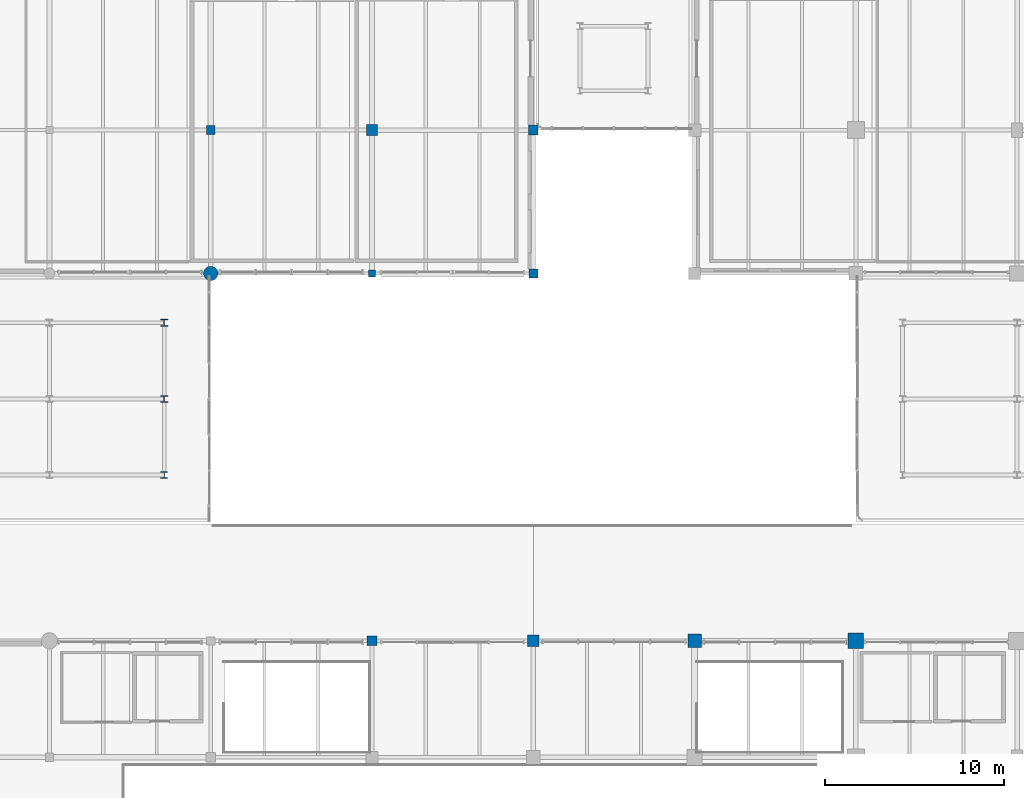
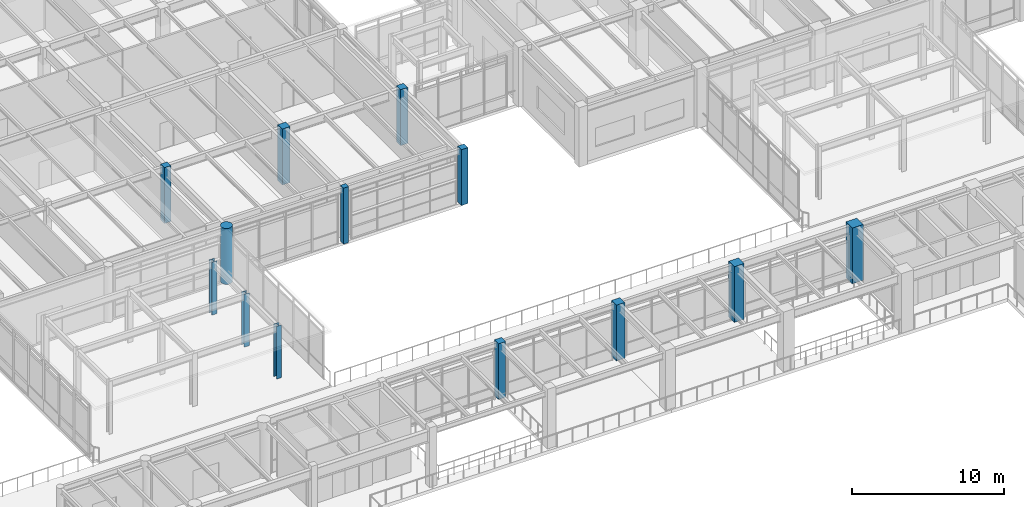
# One storey, part 8 of 200: 13 columns.
"""IFC4 building model written with IfcOpenShell, lengths in metres."""

from ifc_helpers import new_model, si_unit, direction, frame, origin, origin_2d, place, context, subcontext, project, spatial, rectangle, circle, i_section, extrude, material, material_profile, profile_set, type_object, element, save


model = new_model("IFC4")

# Units and contexts
model_context = context("Model", 3, precision=1e-05, world=origin(), true_north=direction((0.0, 1.0)))
body_context = subcontext(model_context, "Body", "Model", "MODEL_VIEW")
ifc_project = project(units=[si_unit("LENGTHUNIT", "METRE"), si_unit("AREAUNIT", "SQUARE_METRE"), si_unit("VOLUMEUNIT", "CUBIC_METRE"), si_unit("PLANEANGLEUNIT", "RADIAN"), si_unit("MASSUNIT", "GRAM", prefix="KILO"), si_unit("THERMODYNAMICTEMPERATUREUNIT", "KELVIN"), si_unit("POWERUNIT", "WATT")], contexts=[model_context])

# Site, building, storey
site_placement = place(None, origin())
site = spatial("IfcSite", under=ifc_project, at=site_placement, CompositionType="ELEMENT")
building_placement = place(site_placement, origin())
building = spatial("IfcBuilding", under=site, at=building_placement, Name="Tepalcoro Natatorium and Aquatics Centre", CompositionType="ELEMENT")
storey_placement = place(building_placement, frame((0.0, 0.0, 5.39990234375)))
storey = spatial("IfcBuildingStorey", under=building, at=storey_placement, Name="L01", CompositionType="ELEMENT", Elevation=5.39990234375)

# Columns
ifc_material_1 = material(Name="Concrete C40/50 (fc 40 MPa)", Category="concrete")
ifc_material_profile_1 = material_profile(ifc_material_1, rectangle(XDim=0.39990234375, YDim=0.39990234375, at=origin_2d()), Name="RC400x400")
ifc_profile_set_1 = profile_set([ifc_material_profile_1], Name="Concrete C40/50 (fc 40 MPa)")
column_type_1 = type_object("IfcColumnType", Name="COL_RC_400x400", PredefinedType="COLUMN", material=ifc_profile_set_1)
column_1_placement = place(storey_placement, frame((80.0, 86.0, 0.0), z_axis=(0.0, 0.0, 1.0), x_axis=(1.0, 0.0, 0.0)))
element("IfcColumn", 1, at=column_1_placement, inside=storey, type_object=column_type_1, Name="V4 L01 Grid Column (80.0, 86.0)", PredefinedType="COLUMN", context=body_context, shape_type="SweptSolid", body=[
    extrude(rectangle(XDim=0.39990234375, YDim=0.39990234375, at=origin_2d()), origin(), (0.0, 0.0, 1.0), 4.5),
])
ifc_material_profile_2 = material_profile(ifc_material_1, rectangle(XDim=0.5, YDim=0.5, at=origin_2d()), Name="RC500x500")
ifc_profile_set_2 = profile_set([ifc_material_profile_2], Name="Concrete C40/50 (fc 40 MPa)")
column_type_2 = type_object("IfcColumnType", Name="COL_RC_500x500", PredefinedType="COLUMN", material=ifc_profile_set_2)
for number, where, z_axis, x_axis, name in (
    (2, (71.0, 94.0, 0.0), (0.0, 0.0, 1.0), (1.0, 0.0, 0.0), "V4 L01 Grid Column (71.0, 94.0)"),
    (3, (89.0, 86.0, 0.0), (0.0, 0.0, 1.0), (1.0, 0.0, 0.0), "V4 L01 Grid Column (89.0, 86.0)"),
):
    element("IfcColumn", number, at=place(storey_placement, frame(where, z_axis=z_axis, x_axis=x_axis)), inside=storey, type_object=column_type_2, Name=name, PredefinedType="COLUMN", context=body_context, shape_type="SweptSolid", body=[
        extrude(rectangle(XDim=0.5, YDim=0.5, at=origin_2d()), origin(), (0.0, 0.0, 1.0), 4.5),
    ])
ifc_material_profile_3 = material_profile(ifc_material_1, rectangle(XDim=0.550048828125, YDim=0.550048828125, at=origin_2d()), Name="RC550x550")
ifc_profile_set_3 = profile_set([ifc_material_profile_3], Name="Concrete C40/50 (fc 40 MPa)")
column_type_3 = type_object("IfcColumnType", Name="COL_RC_550x550", PredefinedType="COLUMN", material=ifc_profile_set_3)
column_2_placement = place(storey_placement, frame((80.0, 65.5, 0.0), z_axis=(0.0, 0.0, 1.0), x_axis=(1.0, 0.0, 0.0)))
element("IfcColumn", 4, at=column_2_placement, inside=storey, type_object=column_type_3, Name="V1 L01 Grid Column (80.0, 65.5)", PredefinedType="COLUMN", context=body_context, shape_type="SweptSolid", body=[
    extrude(rectangle(XDim=0.550048828125, YDim=0.550048828125, at=origin_2d()), origin(), (0.0, 0.0, 1.0), 4.47998046875),
])
column_3_placement = place(storey_placement, frame((89.0, 94.0, 0.0), z_axis=(0.0, 0.0, 1.0), x_axis=(1.0, 0.0, 0.0)))
element("IfcColumn", 5, at=column_3_placement, inside=storey, type_object=column_type_3, Name="V4 L01 Grid Column (89.0, 94.0)", PredefinedType="COLUMN", context=body_context, shape_type="SweptSolid", body=[
    extrude(rectangle(XDim=0.550048828125, YDim=0.550048828125, at=origin_2d()), origin(), (0.0, 0.0, 1.0), 4.5),
])
ifc_material_profile_4 = material_profile(ifc_material_1, rectangle(XDim=0.60009765625, YDim=0.60009765625, at=origin_2d()), Name="RC600x600")
ifc_profile_set_4 = profile_set([ifc_material_profile_4], Name="Concrete C40/50 (fc 40 MPa)")
column_type_4 = type_object("IfcColumnType", Name="COL_RC_600x600", PredefinedType="COLUMN", material=ifc_profile_set_4)
column_4_placement = place(storey_placement, frame((80.0, 94.0, 0.0), z_axis=(0.0, 0.0, 1.0), x_axis=(1.0, 0.0, 0.0)))
element("IfcColumn", 6, at=column_4_placement, inside=storey, type_object=column_type_4, Name="V4 L01 Grid Column (80.0, 94.0)", PredefinedType="COLUMN", context=body_context, shape_type="SweptSolid", body=[
    extrude(rectangle(XDim=0.60009765625, YDim=0.60009765625, at=origin_2d()), origin(), (0.0, 0.0, 1.0), 4.5),
])
ifc_material_profile_5 = material_profile(ifc_material_1, rectangle(XDim=0.64990234375, YDim=0.64990234375, at=origin_2d()), Name="RC650x650")
ifc_profile_set_5 = profile_set([ifc_material_profile_5], Name="Concrete C40/50 (fc 40 MPa)")
column_type_5 = type_object("IfcColumnType", Name="COL_RC_650x650", PredefinedType="COLUMN", material=ifc_profile_set_5)
column_5_placement = place(storey_placement, frame((89.0, 65.5, 0.0), z_axis=(0.0, 0.0, 1.0), x_axis=(1.0, 0.0, 0.0)))
element("IfcColumn", 7, at=column_5_placement, inside=storey, type_object=column_type_5, Name="V1 L01 Grid Column (89.0, 65.5)", PredefinedType="COLUMN", context=body_context, shape_type="SweptSolid", body=[
    extrude(rectangle(XDim=0.64990234375, YDim=0.64990234375, at=origin_2d()), origin(), (0.0, 0.0, 1.0), 4.47998046875),
])
ifc_material_profile_6 = material_profile(ifc_material_1, rectangle(XDim=0.75, YDim=0.75, at=origin_2d()), Name="RC750x750")
ifc_profile_set_6 = profile_set([ifc_material_profile_6], Name="Concrete C40/50 (fc 40 MPa)")
column_type_6 = type_object("IfcColumnType", Name="COL_RC_750x750", PredefinedType="COLUMN", material=ifc_profile_set_6)
column_6_placement = place(storey_placement, frame((98.0, 65.5, 0.0), z_axis=(0.0, 0.0, 1.0), x_axis=(1.0, 0.0, 0.0)))
element("IfcColumn", 8, at=column_6_placement, inside=storey, type_object=column_type_6, Name="V1 L01 Grid Column (98.0, 65.5)", PredefinedType="COLUMN", context=body_context, shape_type="SweptSolid", body=[
    extrude(rectangle(XDim=0.75, YDim=0.75, at=origin_2d()), origin(), (0.0, 0.0, 1.0), 4.47998046875),
])
ifc_material_profile_7 = material_profile(ifc_material_1, rectangle(XDim=0.85009765625, YDim=0.85009765625, at=origin_2d()), Name="RC850x850")
ifc_profile_set_7 = profile_set([ifc_material_profile_7], Name="Concrete C40/50 (fc 40 MPa)")
column_type_7 = type_object("IfcColumnType", Name="COL_RC_850x850", PredefinedType="COLUMN", material=ifc_profile_set_7)
column_7_placement = place(storey_placement, frame((107.0, 65.5, 0.0), z_axis=(0.0, 0.0, 1.0), x_axis=(1.0, 0.0, 0.0)))
element("IfcColumn", 9, at=column_7_placement, inside=storey, type_object=column_type_7, Name="V1 L01 Grid Column (107.0, 65.5)", PredefinedType="COLUMN", context=body_context, shape_type="SweptSolid", body=[
    extrude(rectangle(XDim=0.85009765625, YDim=0.85009765625, at=origin_2d()), origin(), (0.0, 0.0, 1.0), 4.47998046875),
])
ifc_material_profile_8 = material_profile(ifc_material_1, circle(Radius=0.39990234375, at=origin_2d()), Name="RCD800")
ifc_profile_set_8 = profile_set([ifc_material_profile_8], Name="Concrete C40/50 (fc 40 MPa)")
column_type_8 = type_object("IfcColumnType", Name="COL_RC_D800", PredefinedType="COLUMN", material=ifc_profile_set_8)
column_8_placement = place(storey_placement, frame((71.0, 86.0, 0.0), z_axis=(0.0, 0.0, 1.0), x_axis=(1.0, 0.0, 0.0)))
element("IfcColumn", 10, at=column_8_placement, inside=storey, type_object=column_type_8, Name="V4 L01 Grid Column (71.0, 86.0)", PredefinedType="COLUMN", context=body_context, shape_type="SweptSolid", body=[
    extrude(circle(Radius=0.39990234375, at=origin_2d()), origin(), (0.0, 0.0, 1.0), 4.5),
])
ifc_material_2 = material(Name="Steel ASTM A992 Grade 50 (Fy 345 MPa)", Category="steel")
ifc_material_profile_9 = material_profile(ifc_material_2, i_section(OverallWidth=0.373046875, OverallDepth=0.367919921875, WebThickness=0.014892578125, FlangeThickness=0.02392578125, FilletRadius=0.013916015625, at=origin_2d()), Name="W14X120")
ifc_profile_set_9 = profile_set([ifc_material_profile_9], Name="Steel ASTM A992 Grade 50 (Fy 345 MPa)")
column_type_9 = type_object("IfcColumnType", Name="COL_W14x120", PredefinedType="COLUMN", material=ifc_profile_set_9)
column_9_placement = place(storey_placement, frame((68.39990234375, 74.75, 0.0), z_axis=(0.0, 0.0, 1.0), x_axis=(1.0, 0.0, 0.0)))
element("IfcColumn", 11, at=column_9_placement, inside=storey, type_object=column_type_9, Name="West Court Swimmers Arcade Column L01", PredefinedType="COLUMN", context=body_context, shape_type="SweptSolid", body=[
    extrude(i_section(OverallWidth=0.373046875, OverallDepth=0.367919921875, WebThickness=0.014892578125, FlangeThickness=0.02392578125, FilletRadius=0.013916015625, at=origin_2d()), origin(), (0.0, 0.0, 1.0), 4.239990234375),
])
ifc_material_profile_10 = material_profile(ifc_material_2, i_section(OverallWidth=0.39404296875, OverallDepth=0.3759765625, WebThickness=0.01708984375, FlangeThickness=0.028076171875, FilletRadius=0.013916015625, at=origin_2d()), Name="W14X145")
ifc_profile_set_10 = profile_set([ifc_material_profile_10], Name="Steel ASTM A992 Grade 50 (Fy 345 MPa)")
column_type_10 = type_object("IfcColumnType", Name="COL_W14x145", PredefinedType="COLUMN", material=ifc_profile_set_10)
column_10_placement = place(storey_placement, frame((68.39990234375, 79.0, 0.0), z_axis=(0.0, 0.0, 1.0), x_axis=(1.0, 0.0, 0.0)))
element("IfcColumn", 12, at=column_10_placement, inside=storey, type_object=column_type_10, Name="West Court Swimmers Arcade Column L01", PredefinedType="COLUMN", context=body_context, shape_type="SweptSolid", body=[
    extrude(i_section(OverallWidth=0.39404296875, OverallDepth=0.3759765625, WebThickness=0.01708984375, FlangeThickness=0.028076171875, FilletRadius=0.013916015625, at=origin_2d()), origin(), (0.0, 0.0, 1.0), 4.239990234375),
])
ifc_material_profile_11 = material_profile(ifc_material_2, i_section(OverallWidth=0.39892578125, OverallDepth=0.385986328125, WebThickness=0.02099609375, FlangeThickness=0.032958984375, FilletRadius=0.013916015625, at=origin_2d()), Name="W14X176")
ifc_profile_set_11 = profile_set([ifc_material_profile_11], Name="Steel ASTM A992 Grade 50 (Fy 345 MPa)")
column_type_11 = type_object("IfcColumnType", Name="COL_W14x176", PredefinedType="COLUMN", material=ifc_profile_set_11)
column_11_placement = place(storey_placement, frame((68.39990234375, 83.25, 0.0), z_axis=(0.0, 0.0, 1.0), x_axis=(1.0, 0.0, 0.0)))
element("IfcColumn", 13, at=column_11_placement, inside=storey, type_object=column_type_11, Name="West Court Swimmers Arcade Column L01", PredefinedType="COLUMN", context=body_context, shape_type="SweptSolid", body=[
    extrude(i_section(OverallWidth=0.39892578125, OverallDepth=0.385986328125, WebThickness=0.02099609375, FlangeThickness=0.032958984375, FilletRadius=0.013916015625, at=origin_2d()), origin(), (0.0, 0.0, 1.0), 4.239990234375),
])

save(model, "model.ifc")
